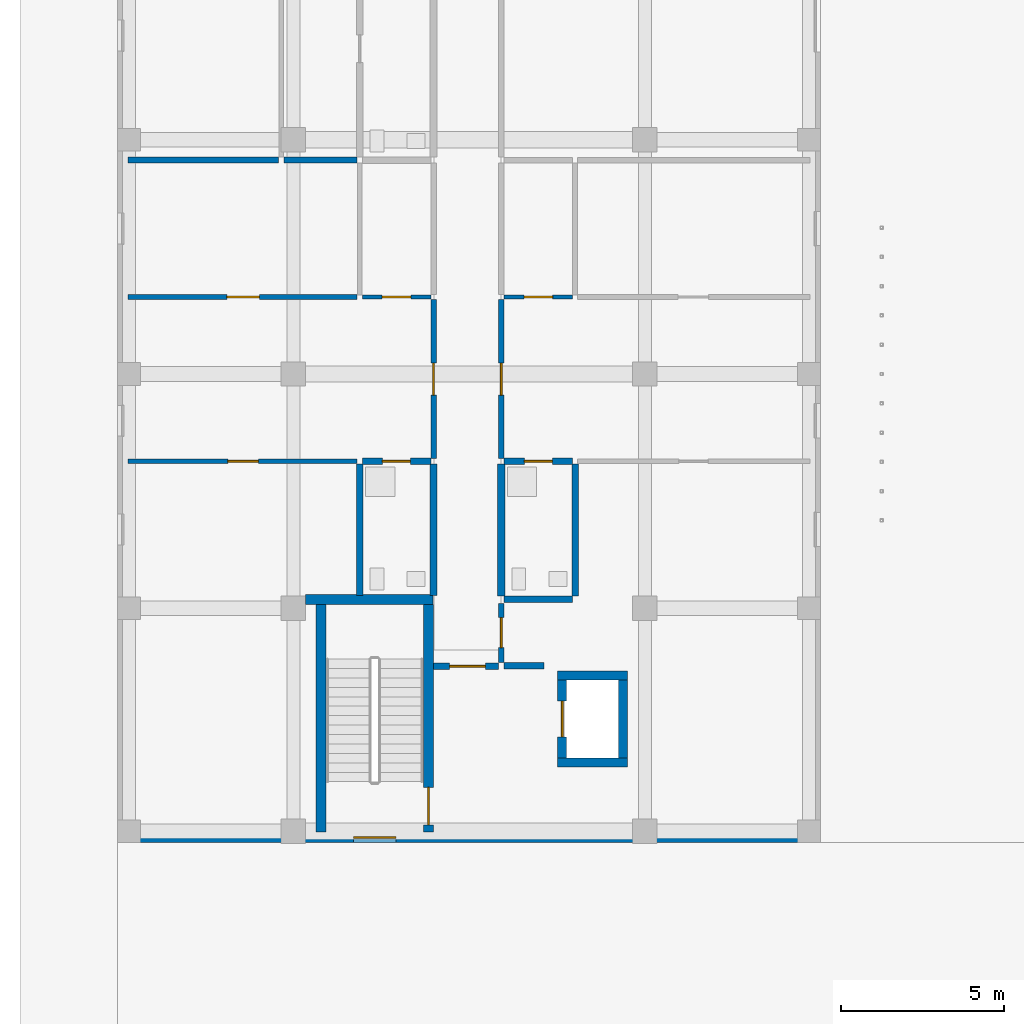
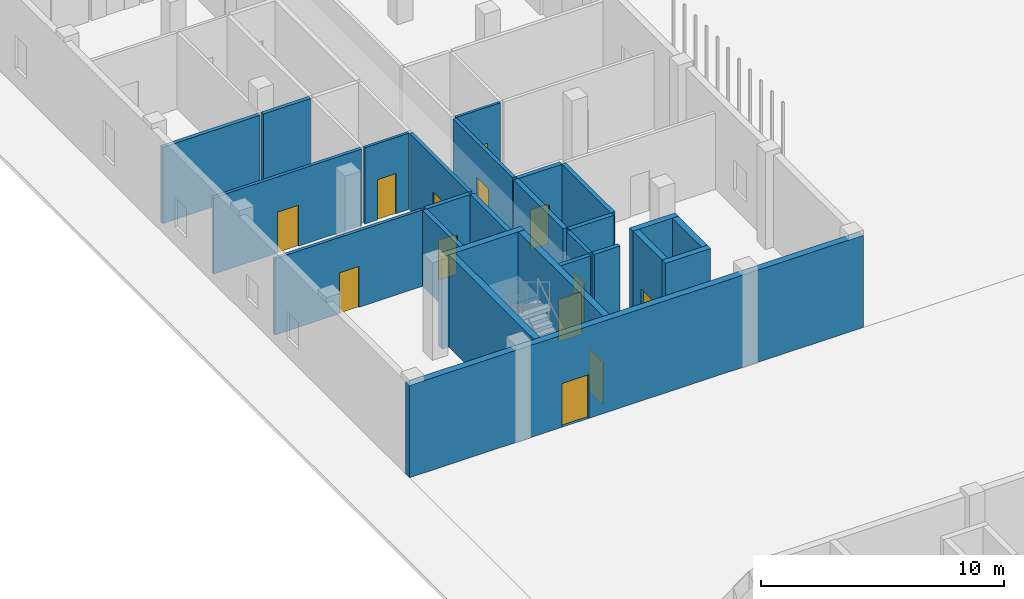
# One storey, part 43 of 85: 26 walls, 13 doors, 13 openings.
"""IFC4 building model written with IfcOpenShell, lengths in metres."""

from ifc_helpers import new_model, si_unit, derived_unit, direction, frame, frame_2d, origin, place, context, subcontext, project, spatial, rectangle, extrude, material, layer, layer_set, type_object, element, fill, save


model = new_model("IFC4")

# Units and contexts
model_context = context("Model", 3, precision=1e-05, world=origin(), true_north=direction((0.0, 1.0)))
body_context = subcontext(model_context, "Body", "Model", "MODEL_VIEW")
ifc_project = project(units=[si_unit("LENGTHUNIT", "METRE"), si_unit("AREAUNIT", "SQUARE_METRE"), si_unit("VOLUMEUNIT", "CUBIC_METRE"), si_unit("PLANEANGLEUNIT", "RADIAN"), si_unit("MASSUNIT", "GRAM", prefix="KILO"), derived_unit("THERMALTRANSMITTANCEUNIT", [(si_unit("MASSUNIT", "GRAM", prefix="KILO"), 1), (si_unit("TIMEUNIT", "SECOND"), -3), (si_unit("THERMODYNAMICTEMPERATUREUNIT", "KELVIN"), -1)])], contexts=[model_context])

# Site, building, storey
site_placement = place(None, origin())
site = spatial("IfcSite", under=ifc_project, at=site_placement, CompositionType="ELEMENT")
building_placement = place(site_placement, origin())
building = spatial("IfcBuilding", under=site, at=building_placement, Name="Ochrekiln Boulevard Commons", CompositionType="ELEMENT")
storey_placement = place(building_placement, origin())
storey = spatial("IfcBuildingStorey", under=building, at=storey_placement, Name="L00", CompositionType="ELEMENT", Elevation=0.0)

# Wall, opening, door
ifc_material_1 = material(Name="Desert ochre clinker brick masonry ASTM C216 Grade SW", Category="masonry")
ifc_layer_1 = layer(ifc_material_1, 0.320068359375)
ifc_layer_set_1 = layer_set([ifc_layer_1], Name="Desert ochre clinker brick masonry ASTM C216 Grade SW")
wall_type_1 = type_object("IfcWallType", Name="WL-EXT-OCHRE-320", PredefinedType="SOLIDWALL", material=ifc_layer_set_1)
wall_1_placement = place(storey_placement, frame((0.0, 68.56005859375, 0.0), z_axis=(0.0, 0.0, 1.0), x_axis=(1.0, 0.0, 0.0)))
wall_1 = element("IfcWall", 1, at=wall_1_placement, inside=storey, type_object=wall_type_1, Name="Block A L00 S Exterior Wall", PredefinedType="SOLIDWALL", context=body_context, shape_type="SweptSolid", body=[
    extrude(rectangle(XDim=21.60009765625, YDim=0.320068359375, at=frame_2d((10.800048828125, 0.0))), origin(), (0.0, 0.0, 1.0), 4.639892578125),
])
opening_1_placement = place(wall_1_placement, frame((7.25, 0.0, 0.0)))
opening_1 = element("IfcOpeningElement", 2, at=opening_1_placement, cuts=wall_1, Name="Opening D-L00-EX01", PredefinedType="OPENING", context=body_context, shape_type="SweptSolid", body=[
    extrude(rectangle(XDim=1.300048828125, YDim=2.199951171875, at=frame_2d((0.64990234375, 1.10009765625))), frame((0.0, 0.169921875, 0.0), z_axis=(0.0, -1.0, 0.0), x_axis=(1.0, 0.0, 0.0)), (0.0, 0.0, 1.0), 0.340087890625),
])
ifc_material_2 = material(Name="Bronze-anodized extruded aluminium 6063-T6", Category="aluminium")
door_type_1 = type_object("IfcDoorType", Name="DR-EXT-STAIR-130", OperationType="NOTDEFINED", PredefinedType="DOOR", material=ifc_material_2)
door_1_placement = place(opening_1_placement, frame((1.300048828125, 0.0, 0.0), z_axis=(0.0, 0.0, 1.0), x_axis=(-1.0, 0.0, 0.0)))
door_1 = element("IfcDoor", 3, at=door_1_placement, inside=storey, type_object=door_type_1, Name="Stair ST-A1 Exterior Exit Discharge Door", OperationType="SINGLE_SWING_LEFT", OverallHeight=2.199951171875, OverallWidth=1.300048828125, PredefinedType="DOOR", context=body_context, shape_type="SweptSolid", body=[
    extrude(rectangle(XDim=1.300048828125, YDim=2.199951171875, at=frame_2d((0.64990234375, 1.10009765625))), frame((0.0, 0.02490234375, 0.0), z_axis=(0.0, -1.0, 0.0), x_axis=(1.0, 0.0, 0.0)), (0.0, 0.0, 1.0), 0.050048828125),
])
fill(opening_1, door_1)

# Wall
ifc_material_3 = material(Name="Moisture-resistant cementitious tile backer wall")
ifc_layer_2 = layer(ifc_material_3, 0.199951171875)
ifc_layer_set_2 = layer_set([ifc_layer_2], Name="Moisture-resistant cementitious tile backer wall")
wall_type_2 = type_object("IfcWallType", Name="WL-PLM-200", PredefinedType="PLUMBINGWALL", material=ifc_layer_set_2)
wall_2_placement = place(storey_placement, frame((11.8720703125, 75.875, 0.0), z_axis=(0.0, 0.0, 1.0), x_axis=(1.0, 0.0, 0.0)))
element("IfcWall", 4, at=wall_2_placement, inside=storey, type_object=wall_type_2, Name="L00 Interior Wall W-PW200", PredefinedType="PLUMBINGWALL", context=body_context, shape_type="SweptSolid", body=[
    extrude(rectangle(XDim=2.10791015625, YDim=0.199951171875, at=frame_2d((1.053955078125, 0.0))), origin(), (0.0, 0.0, 1.0), 3.840087890625),
])

# Wall, opening, door
wall_3_placement = place(storey_placement, frame((7.52001953125, 80.118896484375, 0.0), z_axis=(0.0, 0.0, 1.0), x_axis=(1.0, 0.0, 0.0)))
wall_3 = element("IfcWall", 5, at=wall_3_placement, inside=storey, type_object=wall_type_2, Name="L00 Interior Wall W-PW200", PredefinedType="PLUMBINGWALL", context=body_context, shape_type="SweptSolid", body=[
    extrude(rectangle(XDim=2.10791015625, YDim=0.199951171875, at=frame_2d((1.053955078125, 0.0))), origin(), (0.0, 0.0, 1.0), 3.840087890625),
])
opening_2_placement = place(wall_3_placement, frame((0.6201171875, 0.0, 0.0)))
opening_2 = element("IfcOpeningElement", 6, at=opening_2_placement, cuts=wall_3, Name="Opening D-L00-008", PredefinedType="OPENING", context=body_context, shape_type="SweptSolid", body=[
    extrude(rectangle(XDim=0.860107421875, YDim=2.0, at=frame_2d((0.43017578125, 1.0))), frame((0.0, 0.10986328125, 0.0), z_axis=(0.0, -1.0, 0.0), x_axis=(1.0, 0.0, 0.0)), (0.0, 0.0, 1.0), 0.219970703125),
])
ifc_material_4 = material(Name="Solid core architectural oak door leaf")
door_type_2 = type_object("IfcDoorType", Name="DR-INT-BTH-086", OperationType="NOTDEFINED", PredefinedType="DOOR", material=ifc_material_4)
door_2_placement = place(opening_2_placement, frame((0.860107421875, 0.0, 0.0), z_axis=(0.0, 0.0, 1.0), x_axis=(-1.0, 0.0, 0.0)))
door_2 = element("IfcDoor", 7, at=door_2_placement, inside=storey, type_object=door_type_2, Name="L00 Interior Door to Accessible Apartment Bathroom", OperationType="SINGLE_SWING_RIGHT", OverallHeight=2.0, OverallWidth=0.860107421875, PredefinedType="DOOR", context=body_context, shape_type="SweptSolid", body=[
    extrude(rectangle(XDim=0.860107421875, YDim=2.0, at=frame_2d((0.43017578125, 1.0))), frame((0.0, 0.02490234375, 0.0), z_axis=(0.0, -1.0, 0.0), x_axis=(1.0, 0.0, 0.0)), (0.0, 0.0, 1.0), 0.050048828125),
])
fill(opening_2, door_2)

# Wall
wall_4_placement = place(storey_placement, frame((7.43994140625, 76.0, 0.0), z_axis=(0.0, 0.0, 1.0), x_axis=(0.0, 1.0, 0.0)))
element("IfcWall", 8, at=wall_4_placement, inside=storey, type_object=wall_type_2, Name="L00 Interior Wall W-PW200", PredefinedType="PLUMBINGWALL", context=body_context, shape_type="SweptSolid", body=[
    extrude(rectangle(XDim=4.0390625, YDim=0.199951171875, at=frame_2d((2.01953125, 0.0))), origin(), (0.0, 0.0, 1.0), 3.840087890625),
])

# Wall, opening, door
wall_5_placement = place(storey_placement, frame((11.8720703125, 80.118896484375, 0.0), z_axis=(0.0, 0.0, 1.0), x_axis=(1.0, 0.0, 0.0)))
wall_5 = element("IfcWall", 9, at=wall_5_placement, inside=storey, type_object=wall_type_2, Name="L00 Interior Wall W-PW200", PredefinedType="PLUMBINGWALL", context=body_context, shape_type="SweptSolid", body=[
    extrude(rectangle(XDim=2.10791015625, YDim=0.199951171875, at=frame_2d((1.053955078125, 0.0))), origin(), (0.0, 0.0, 1.0), 3.840087890625),
])
opening_3_placement = place(wall_5_placement, frame((0.6279296875, 0.0, 0.0)))
opening_3 = element("IfcOpeningElement", 10, at=opening_3_placement, cuts=wall_5, Name="Opening D-L00-019", PredefinedType="OPENING", context=body_context, shape_type="SweptSolid", body=[
    extrude(rectangle(XDim=0.860107421875, YDim=2.0, at=frame_2d((0.43017578125, 1.0))), frame((0.0, 0.10986328125, 0.0), z_axis=(0.0, -1.0, 0.0), x_axis=(1.0, 0.0, 0.0)), (0.0, 0.0, 1.0), 0.219970703125),
])
door_3_placement = place(opening_3_placement, frame((0.860107421875, 0.0, 0.0), z_axis=(0.0, 0.0, 1.0), x_axis=(-1.0, 0.0, 0.0)))
door_3 = element("IfcDoor", 11, at=door_3_placement, inside=storey, type_object=door_type_2, Name="L00 Interior Door to Apartment Bathroom", OperationType="SINGLE_SWING_LEFT", OverallHeight=2.0, OverallWidth=0.860107421875, PredefinedType="DOOR", context=body_context, shape_type="SweptSolid", body=[
    extrude(rectangle(XDim=0.860107421875, YDim=2.0, at=frame_2d((0.43017578125, 1.0))), frame((0.0, 0.02490234375, 0.0), z_axis=(0.0, -1.0, 0.0), x_axis=(1.0, 0.0, 0.0)), (0.0, 0.0, 1.0), 0.050048828125),
])
fill(opening_3, door_3)

# Walls
wall_6_placement = place(storey_placement, frame((14.06005859375, 75.97509765625, 0.0), z_axis=(0.0, 0.0, 1.0), x_axis=(0.0, 1.0, 0.0)))
element("IfcWall", 12, at=wall_6_placement, inside=storey, type_object=wall_type_2, Name="L00 Interior Wall W-PW200", PredefinedType="PLUMBINGWALL", context=body_context, shape_type="SweptSolid", body=[
    extrude(rectangle(XDim=4.06396484375, YDim=0.199951171875, at=frame_2d((2.031982421875, 0.0))), origin(), (0.0, 0.0, 1.0), 3.840087890625),
])
ifc_layer_3 = layer(ifc_material_3, 0.219970703125)
ifc_layer_set_3 = layer_set([ifc_layer_3], Name="Moisture-resistant cementitious tile backer wall")
wall_type_3 = type_object("IfcWallType", Name="WL-PLM-220", PredefinedType="PLUMBINGWALL", material=ifc_layer_set_3)
wall_7_placement = place(storey_placement, frame((9.7099609375, 76.0, 0.0), z_axis=(0.0, 0.0, 1.0), x_axis=(0.0, 1.0, 0.0)))
element("IfcWall", 13, at=wall_7_placement, inside=storey, type_object=wall_type_3, Name="L00 Interior Wall W-PW220", PredefinedType="PLUMBINGWALL", context=body_context, shape_type="SweptSolid", body=[
    extrude(rectangle(XDim=4.0390625, YDim=0.219970703125, at=frame_2d((2.01953125, 0.0))), origin(), (0.0, 0.0, 1.0), 3.840087890625),
])
wall_8_placement = place(storey_placement, frame((11.7900390625, 75.97509765625, 0.0), z_axis=(0.0, 0.0, 1.0), x_axis=(0.0, 1.0, 0.0)))
element("IfcWall", 14, at=wall_8_placement, inside=storey, type_object=wall_type_3, Name="L00 Interior Wall W-PW220", PredefinedType="PLUMBINGWALL", context=body_context, shape_type="SweptSolid", body=[
    extrude(rectangle(XDim=4.06396484375, YDim=0.219970703125, at=frame_2d((2.031982421875, 0.0))), origin(), (0.0, 0.0, 1.0), 3.840087890625),
])

# Wall, opening, door
ifc_material_5 = material(Name="Fire-rated Type X gypsum board on steel studs", Category="steel")
ifc_layer_4 = layer(ifc_material_5, 0.1650390625)
ifc_layer_set_4 = layer_set([ifc_layer_4], Name="Fire-rated Type X gypsum board on steel studs")
wall_type_4 = type_object("IfcWallType", Name="WL-PT-CORR-165", PredefinedType="PARTITIONING", material=ifc_layer_set_4)
wall_9_placement = place(storey_placement, frame((11.7900390625, 73.929931640625, 0.0), z_axis=(0.0, 0.0, 1.0), x_axis=(0.0, 1.0, 0.0)))
wall_9 = element("IfcWall", 15, at=wall_9_placement, inside=storey, type_object=wall_type_4, Name="L00 Interior Wall W-PC165", PredefinedType="PARTITIONING", context=body_context, shape_type="SweptSolid", body=[
    extrude(rectangle(XDim=1.820068359375, YDim=0.1650390625, at=frame_2d((0.91015625, 0.0))), origin(), (0.0, 0.0, 1.0), 3.840087890625),
])
opening_4_placement = place(wall_9_placement, frame((0.4599609375, 0.0, 0.0)))
opening_4 = element("IfcOpeningElement", 16, at=opening_4_placement, cuts=wall_9, Name="Opening D-L00-003", PredefinedType="OPENING", context=body_context, shape_type="SweptSolid", body=[
    extrude(rectangle(XDim=0.919921875, YDim=2.0400390625, at=frame_2d((0.4599609375, 1.02001953125))), frame((0.0, 0.092529296875, 0.0), z_axis=(0.0, -1.0, 0.0), x_axis=(1.0, 0.0, 0.0)), (0.0, 0.0, 1.0), 0.18505859375),
])
ifc_material_6 = material(Name="Hollow metal fire-rated steel door assembly", Category="steel")
door_type_3 = type_object("IfcDoorType", Name="DR-SRV-90", OperationType="NOTDEFINED", PredefinedType="DOOR", material=ifc_material_6)
door_4_placement = place(opening_4_placement, frame((0.919921875, 0.0, 0.0), z_axis=(0.0, 0.0, 1.0), x_axis=(-1.0, 0.0, 0.0)))
door_4 = element("IfcDoor", 17, at=door_4_placement, inside=storey, type_object=door_type_3, Name="L00 Interior Door to Hydronic and Electrical Riser Room", OperationType="SINGLE_SWING_LEFT", OverallHeight=2.0400390625, OverallWidth=0.919921875, PredefinedType="DOOR", context=body_context, shape_type="SweptSolid", body=[
    extrude(rectangle(XDim=0.919921875, YDim=2.0400390625, at=frame_2d((0.4599609375, 1.02001953125))), frame((0.0, 0.02490234375, 0.0), z_axis=(0.0, -1.0, 0.0), x_axis=(1.0, 0.0, 0.0)), (0.0, 0.0, 1.0), 0.050048828125),
])
fill(opening_4, door_4)

wall_10_placement = place(storey_placement, frame((9.7099609375, 80.198974609375, 0.0), z_axis=(0.0, 0.0, 1.0), x_axis=(0.0, 1.0, 0.0)))
wall_10 = element("IfcWall", 18, at=wall_10_placement, inside=storey, type_object=wall_type_4, Name="L00 Interior Wall W-PC165", PredefinedType="PARTITIONING", context=body_context, shape_type="SweptSolid", body=[
    extrude(rectangle(XDim=4.887939453125, YDim=0.1650390625, at=frame_2d((2.44384765625, 0.0))), origin(), (0.0, 0.0, 1.0), 3.840087890625),
])
opening_5_placement = place(wall_10_placement, frame((1.9541015625, 0.0, 0.0)))
opening_5 = element("IfcOpeningElement", 19, at=opening_5_placement, cuts=wall_10, Name="Opening D-L00-004", PredefinedType="OPENING", context=body_context, shape_type="SweptSolid", body=[
    extrude(rectangle(XDim=0.97998046875, YDim=2.080078125, at=frame_2d((0.489990234375, 1.0400390625))), frame((0.0, 0.092529296875, 0.0), z_axis=(0.0, -1.0, 0.0), x_axis=(1.0, 0.0, 0.0)), (0.0, 0.0, 1.0), 0.18505859375),
])
door_type_4 = type_object("IfcDoorType", Name="DR-APT-60", OperationType="NOTDEFINED", PredefinedType="DOOR", material=ifc_material_4)
door_5_placement = place(opening_5_placement, origin())
door_5 = element("IfcDoor", 20, at=door_5_placement, inside=storey, type_object=door_type_4, Name="L00 Interior Door to Two-Bedroom Apartment Living Room", OperationType="SINGLE_SWING_RIGHT", OverallHeight=2.080078125, OverallWidth=0.97998046875, PredefinedType="DOOR", context=body_context, shape_type="SweptSolid", body=[
    extrude(rectangle(XDim=0.97998046875, YDim=2.080078125, at=frame_2d((0.489990234375, 1.0400390625))), frame((0.0, 0.02490234375, 0.0), z_axis=(0.0, -1.0, 0.0), x_axis=(1.0, 0.0, 0.0)), (0.0, 0.0, 1.0), 0.050048828125),
])
fill(opening_5, door_5)

wall_11_placement = place(storey_placement, frame((11.7900390625, 80.198974609375, 0.0), z_axis=(0.0, 0.0, 1.0), x_axis=(0.0, 1.0, 0.0)))
wall_11 = element("IfcWall", 21, at=wall_11_placement, inside=storey, type_object=wall_type_4, Name="L00 Interior Wall W-PC165", PredefinedType="PARTITIONING", context=body_context, shape_type="SweptSolid", body=[
    extrude(rectangle(XDim=4.887939453125, YDim=0.1650390625, at=frame_2d((2.44384765625, 0.0))), origin(), (0.0, 0.0, 1.0), 3.840087890625),
])
opening_6_placement = place(wall_11_placement, frame((1.9541015625, 0.0, 0.0)))
opening_6 = element("IfcOpeningElement", 22, at=opening_6_placement, cuts=wall_11, Name="Opening D-L00-006", PredefinedType="OPENING", context=body_context, shape_type="SweptSolid", body=[
    extrude(rectangle(XDim=0.97998046875, YDim=2.080078125, at=frame_2d((0.489990234375, 1.0400390625))), frame((0.0, 0.092529296875, 0.0), z_axis=(0.0, -1.0, 0.0), x_axis=(1.0, 0.0, 0.0)), (0.0, 0.0, 1.0), 0.18505859375),
])
door_6_placement = place(opening_6_placement, frame((0.97998046875, 0.0, 0.0), z_axis=(0.0, 0.0, 1.0), x_axis=(-1.0, 0.0, 0.0)))
door_6 = element("IfcDoor", 23, at=door_6_placement, inside=storey, type_object=door_type_4, Name="L00 Interior Door to Two-Bedroom Apartment Living Room", OperationType="SINGLE_SWING_RIGHT", OverallHeight=2.080078125, OverallWidth=0.97998046875, PredefinedType="DOOR", context=body_context, shape_type="SweptSolid", body=[
    extrude(rectangle(XDim=0.97998046875, YDim=2.080078125, at=frame_2d((0.489990234375, 1.0400390625))), frame((0.0, 0.02490234375, 0.0), z_axis=(0.0, -1.0, 0.0), x_axis=(1.0, 0.0, 0.0)), (0.0, 0.0, 1.0), 0.050048828125),
])
fill(opening_6, door_6)

# Walls
ifc_layer_5 = layer(ifc_material_5, 0.179931640625)
ifc_layer_set_5 = layer_set([ifc_layer_5], Name="Fire-rated Type X gypsum board on steel studs")
wall_type_5 = type_object("IfcWallType", Name="WL-PT-DEM-180", PredefinedType="PARTITIONING", material=ifc_layer_set_5)
wall_12_placement = place(storey_placement, frame((0.320068359375, 89.3759765625, 0.0), z_axis=(0.0, 0.0, 1.0), x_axis=(1.0, 0.0, 0.0)))
element("IfcWall", 24, at=wall_12_placement, inside=storey, type_object=wall_type_5, Name="L00 Interior Wall W-PD180", PredefinedType="PARTITIONING", context=body_context, shape_type="SweptSolid", body=[
    extrude(rectangle(XDim=4.6298828125, YDim=0.179931640625, at=frame_2d((2.31494140625, 0.0))), origin(), (0.0, 0.0, 1.0), 3.840087890625),
])
wall_13_placement = place(storey_placement, frame((5.110107421875, 89.3759765625, 0.0), z_axis=(0.0, 0.0, 1.0), x_axis=(1.0, 0.0, 0.0)))
element("IfcWall", 25, at=wall_13_placement, inside=storey, type_object=wall_type_5, Name="L00 Interior Wall W-PD180", PredefinedType="PARTITIONING", context=body_context, shape_type="SweptSolid", body=[
    extrude(rectangle(XDim=2.25, YDim=0.179931640625, at=frame_2d((1.125, 0.0))), origin(), (0.0, 0.0, 1.0), 3.840087890625),
])
ifc_layer_6 = layer(ifc_material_5, 0.18994140625)
ifc_layer_set_6 = layer_set([ifc_layer_6], Name="Fire-rated Type X gypsum board on steel studs")
wall_type_6 = type_object("IfcWallType", Name="WL-PT-LBY-190", PredefinedType="PARTITIONING", material=ifc_layer_set_6)
wall_14_placement = place(storey_placement, frame((11.8798828125, 73.8349609375, 0.0), z_axis=(0.0, 0.0, 1.0), x_axis=(1.0, 0.0, 0.0)))
element("IfcWall", 26, at=wall_14_placement, inside=storey, type_object=wall_type_6, Name="L00 Interior Wall W-PL190", PredefinedType="PARTITIONING", context=body_context, shape_type="SweptSolid", body=[
    extrude(rectangle(XDim=1.22021484375, YDim=0.18994140625, at=frame_2d((0.610107421875, 0.0))), origin(), (0.0, 0.0, 1.0), 3.840087890625),
])

# Wall, opening, door
wall_15_placement = place(storey_placement, frame((9.699951171875, 73.820068359375, 0.0), z_axis=(0.0, 0.0, 1.0), x_axis=(1.0, 0.0, 0.0)))
wall_15 = element("IfcWall", 27, at=wall_15_placement, inside=storey, type_object=wall_type_6, Name="L00 Interior Wall W-PL190", PredefinedType="PARTITIONING", context=body_context, shape_type="SweptSolid", body=[
    extrude(rectangle(XDim=2.0, YDim=0.18994140625, at=frame_2d((1.0, 0.0))), origin(), (0.0, 0.0, 1.0), 3.840087890625),
])
opening_7_placement = place(wall_15_placement, frame((0.5, 0.0, 0.0)))
opening_7 = element("IfcOpeningElement", 28, at=opening_7_placement, cuts=wall_15, Name="Opening D-L00-001", PredefinedType="OPENING", context=body_context, shape_type="SweptSolid", body=[
    extrude(rectangle(XDim=1.10009765625, YDim=2.1201171875, at=frame_2d((0.550048828125, 1.06005859375))), frame((0.0, 0.10498046875, 0.0), z_axis=(0.0, -1.0, 0.0), x_axis=(1.0, 0.0, 0.0)), (0.0, 0.0, 1.0), 0.2099609375),
])
door_type_5 = type_object("IfcDoorType", Name="DR-LOBBY-60", OperationType="NOTDEFINED", PredefinedType="DOOR", material=ifc_material_6)
door_7_placement = place(opening_7_placement, frame((1.10009765625, 0.0, 0.0), z_axis=(0.0, 0.0, 1.0), x_axis=(-1.0, 0.0, 0.0)))
door_7 = element("IfcDoor", 29, at=door_7_placement, inside=storey, type_object=door_type_5, Name="L00 Interior Door to Fire Service Access Elevator Lobby", OperationType="SINGLE_SWING_LEFT", OverallHeight=2.1201171875, OverallWidth=1.10009765625, PredefinedType="DOOR", context=body_context, shape_type="SweptSolid", body=[
    extrude(rectangle(XDim=1.10009765625, YDim=2.1201171875, at=frame_2d((0.550048828125, 1.06005859375))), frame((0.0, 0.02490234375, 0.0), z_axis=(0.0, -1.0, 0.0), x_axis=(1.0, 0.0, 0.0)), (0.0, 0.0, 1.0), 0.050048828125),
])
fill(opening_7, door_7)

ifc_layer_7 = layer(ifc_material_5, 0.1201171875)
ifc_layer_set_7 = layer_set([ifc_layer_7], Name="Fire-rated Type X gypsum board on steel studs")
wall_type_7 = type_object("IfcWallType", Name="WL-PT-LGT-120", PredefinedType="PARTITIONING", material=ifc_layer_set_7)
wall_16_placement = place(storey_placement, frame((7.52001953125, 85.1669921875, 0.0), z_axis=(0.0, 0.0, 1.0), x_axis=(1.0, 0.0, 0.0)))
wall_16 = element("IfcWall", 30, at=wall_16_placement, inside=storey, type_object=wall_type_7, Name="L00 Interior Wall W-PL120", PredefinedType="PARTITIONING", context=body_context, shape_type="SweptSolid", body=[
    extrude(rectangle(XDim=2.10791015625, YDim=0.1201171875, at=frame_2d((1.053955078125, 0.0))), origin(), (0.0, 0.0, 1.0), 3.840087890625),
])
opening_8_placement = place(wall_16_placement, frame((0.610107421875, 0.0, 0.0)))
opening_8 = element("IfcOpeningElement", 31, at=opening_8_placement, cuts=wall_16, Name="Opening D-L00-009", PredefinedType="OPENING", context=body_context, shape_type="SweptSolid", body=[
    extrude(rectangle(XDim=0.8798828125, YDim=2.02001953125, at=frame_2d((0.43994140625, 1.010009765625))), frame((0.0, 0.070068359375, 0.0), z_axis=(0.0, -1.0, 0.0), x_axis=(1.0, 0.0, 0.0)), (0.0, 0.0, 1.0), 0.14013671875),
])
door_type_6 = type_object("IfcDoorType", Name="DR-INT-KIT-088", OperationType="NOTDEFINED", PredefinedType="DOOR", material=ifc_material_4)
door_8_placement = place(opening_8_placement, origin())
door_8 = element("IfcDoor", 32, at=door_8_placement, inside=storey, type_object=door_type_6, Name="L00 Interior Door to Apartment Kitchen", OperationType="SINGLE_SWING_LEFT", OverallHeight=2.02001953125, OverallWidth=0.8798828125, PredefinedType="DOOR", context=body_context, shape_type="SweptSolid", body=[
    extrude(rectangle(XDim=0.8798828125, YDim=2.02001953125, at=frame_2d((0.43994140625, 1.010009765625))), frame((0.0, 0.02490234375, 0.0), z_axis=(0.0, -1.0, 0.0), x_axis=(1.0, 0.0, 0.0)), (0.0, 0.0, 1.0), 0.050048828125),
])
fill(opening_8, door_8)

wall_17_placement = place(storey_placement, frame((11.8720703125, 85.1669921875, 0.0), z_axis=(0.0, 0.0, 1.0), x_axis=(1.0, 0.0, 0.0)))
wall_17 = element("IfcWall", 33, at=wall_17_placement, inside=storey, type_object=wall_type_7, Name="L00 Interior Wall W-PL120", PredefinedType="PARTITIONING", context=body_context, shape_type="SweptSolid", body=[
    extrude(rectangle(XDim=2.10791015625, YDim=0.1201171875, at=frame_2d((1.053955078125, 0.0))), origin(), (0.0, 0.0, 1.0), 3.840087890625),
])
opening_9_placement = place(wall_17_placement, frame((0.617919921875, 0.0, 0.0)))
opening_9 = element("IfcOpeningElement", 34, at=opening_9_placement, cuts=wall_17, Name="Opening D-L00-020", PredefinedType="OPENING", context=body_context, shape_type="SweptSolid", body=[
    extrude(rectangle(XDim=0.8798828125, YDim=2.02001953125, at=frame_2d((0.43994140625, 1.010009765625))), frame((0.0, 0.070068359375, 0.0), z_axis=(0.0, -1.0, 0.0), x_axis=(1.0, 0.0, 0.0)), (0.0, 0.0, 1.0), 0.14013671875),
])
door_9_placement = place(opening_9_placement, origin())
door_9 = element("IfcDoor", 35, at=door_9_placement, inside=storey, type_object=door_type_6, Name="L00 Interior Door to Apartment Kitchen", OperationType="SINGLE_SWING_RIGHT", OverallHeight=2.02001953125, OverallWidth=0.8798828125, PredefinedType="DOOR", context=body_context, shape_type="SweptSolid", body=[
    extrude(rectangle(XDim=0.8798828125, YDim=2.02001953125, at=frame_2d((0.43994140625, 1.010009765625))), frame((0.0, 0.02490234375, 0.0), z_axis=(0.0, -1.0, 0.0), x_axis=(1.0, 0.0, 0.0)), (0.0, 0.0, 1.0), 0.050048828125),
])
fill(opening_9, door_9)

ifc_layer_8 = layer(ifc_material_5, 0.14990234375)
ifc_layer_set_8 = layer_set([ifc_layer_8], Name="Fire-rated Type X gypsum board on steel studs")
wall_type_8 = type_object("IfcWallType", Name="WL-PT-STD-150", PredefinedType="PARTITIONING", material=ifc_layer_set_8)
wall_18_placement = place(storey_placement, frame((0.320068359375, 80.118896484375, 0.0), z_axis=(0.0, 0.0, 1.0), x_axis=(1.0, 0.0, 0.0)))
wall_18 = element("IfcWall", 36, at=wall_18_placement, inside=storey, type_object=wall_type_8, Name="L00 Interior Wall W-PS150", PredefinedType="PARTITIONING", context=body_context, shape_type="SweptSolid", body=[
    extrude(rectangle(XDim=7.0400390625, YDim=0.14990234375, at=frame_2d((3.52001953125, 0.0))), origin(), (0.0, 0.0, 1.0), 3.840087890625),
])
opening_10_placement = place(wall_18_placement, frame((3.06494140625, 0.0, 0.0)))
opening_10 = element("IfcOpeningElement", 37, at=opening_10_placement, cuts=wall_18, Name="Opening D-L00-010", PredefinedType="OPENING", context=body_context, shape_type="SweptSolid", body=[
    extrude(rectangle(XDim=0.93994140625, YDim=2.06005859375, at=frame_2d((0.469970703125, 1.030029296875))), frame((0.0, 0.0849609375, 0.0), z_axis=(0.0, -1.0, 0.0), x_axis=(1.0, 0.0, 0.0)), (0.0, 0.0, 1.0), 0.169921875),
])
door_type_7 = type_object("IfcDoorType", Name="DR-INT-BED-094", OperationType="NOTDEFINED", PredefinedType="DOOR", material=ifc_material_4)
door_10_placement = place(opening_10_placement, frame((0.93994140625, 0.0, 0.0), z_axis=(0.0, 0.0, 1.0), x_axis=(-1.0, 0.0, 0.0)))
door_10 = element("IfcDoor", 38, at=door_10_placement, inside=storey, type_object=door_type_7, Name="L00 Interior Door to Primary Apartment Bedroom", OperationType="SINGLE_SWING_RIGHT", OverallHeight=2.06005859375, OverallWidth=0.93994140625, PredefinedType="DOOR", context=body_context, shape_type="SweptSolid", body=[
    extrude(rectangle(XDim=0.93994140625, YDim=2.06005859375, at=frame_2d((0.469970703125, 1.030029296875))), frame((0.0, 0.02490234375, 0.0), z_axis=(0.0, -1.0, 0.0), x_axis=(1.0, 0.0, 0.0)), (0.0, 0.0, 1.0), 0.050048828125),
])
fill(opening_10, door_10)

wall_19_placement = place(storey_placement, frame((0.320068359375, 85.1669921875, 0.0), z_axis=(0.0, 0.0, 1.0), x_axis=(1.0, 0.0, 0.0)))
wall_19 = element("IfcWall", 39, at=wall_19_placement, inside=storey, type_object=wall_type_8, Name="L00 Interior Wall W-PS150", PredefinedType="PARTITIONING", context=body_context, shape_type="SweptSolid", body=[
    extrude(rectangle(XDim=7.0400390625, YDim=0.14990234375, at=frame_2d((3.52001953125, 0.0))), origin(), (0.0, 0.0, 1.0), 3.840087890625),
])
opening_11_placement = place(wall_19_placement, frame((3.034912109375, 0.0, 0.0)))
opening_11 = element("IfcOpeningElement", 40, at=opening_11_placement, cuts=wall_19, Name="Opening D-L00-011", PredefinedType="OPENING", context=body_context, shape_type="SweptSolid", body=[
    extrude(rectangle(XDim=1.0, YDim=2.06005859375, at=frame_2d((0.5, 1.030029296875))), frame((0.0, 0.0849609375, 0.0), z_axis=(0.0, -1.0, 0.0), x_axis=(1.0, 0.0, 0.0)), (0.0, 0.0, 1.0), 0.169921875),
])
door_type_8 = type_object("IfcDoorType", Name="DR-INT-BED-100", OperationType="NOTDEFINED", PredefinedType="DOOR", material=ifc_material_4)
door_11_placement = place(opening_11_placement, origin())
door_11 = element("IfcDoor", 41, at=door_11_placement, inside=storey, type_object=door_type_8, Name="L00 Interior Door to Secondary Apartment Bedroom", OperationType="SINGLE_SWING_LEFT", OverallHeight=2.06005859375, OverallWidth=1.0, PredefinedType="DOOR", context=body_context, shape_type="SweptSolid", body=[
    extrude(rectangle(XDim=1.0, YDim=2.06005859375, at=frame_2d((0.5, 1.030029296875))), frame((0.0, 0.02490234375, 0.0), z_axis=(0.0, -1.0, 0.0), x_axis=(1.0, 0.0, 0.0)), (0.0, 0.0, 1.0), 0.050048828125),
])
fill(opening_11, door_11)

# Walls
ifc_material_7 = material(Name="Concrete C40/50", Category="concrete")
ifc_layer_9 = layer(ifc_material_7, 0.27490234375)
ifc_layer_set_9 = layer_set([ifc_layer_9], Name="Concrete C40/50")
wall_type_9 = type_object("IfcWallType", Name="WL-SH-275", PredefinedType="SHEAR", material=ifc_layer_set_9)
for number, where, z_axis, x_axis, name in (
    (42, (13.52490234375, 70.862548828125, 0.0), (0.0, 0.0, 1.0), (1.0, 0.0, 0.0), "Elevator FF-A1 L00 Hoistway Shear Wall"),
    (43, (13.52490234375, 73.53759765625, 0.0), (0.0, 0.0, 1.0), (1.0, 0.0, 0.0), "Elevator FF-A1 L00 Hoistway Shear Wall"),
):
    element("IfcWall", number, at=place(storey_placement, frame(where, z_axis=z_axis, x_axis=x_axis)), inside=storey, type_object=wall_type_9, Name=name, PredefinedType="SHEAR", context=body_context, shape_type="SweptSolid", body=[
        extrude(rectangle(XDim=2.150146484375, YDim=0.27490234375, at=frame_2d((1.0751953125, 0.0))), origin(), (0.0, 0.0, 1.0), 4.639892578125),
    ])

# Wall, opening, door
wall_20_placement = place(storey_placement, frame((13.66259765625, 71.0, 0.0), z_axis=(0.0, 0.0, 1.0), x_axis=(0.0, 1.0, 0.0)))
wall_20 = element("IfcWall", 44, at=wall_20_placement, inside=storey, type_object=wall_type_9, Name="Elevator FF-A1 L00 Hoistway Shear Wall", PredefinedType="SHEAR", context=body_context, shape_type="SweptSolid", body=[
    extrude(rectangle(XDim=2.39990234375, YDim=0.27490234375, at=frame_2d((1.199951171875, 0.0))), origin(), (0.0, 0.0, 1.0), 4.639892578125),
])
opening_12_placement = place(wall_20_placement, frame((0.64990234375, 0.0, 0.0)))
opening_12 = element("IfcOpeningElement", 45, at=opening_12_placement, cuts=wall_20, Name="Opening LD-FF-A1-L00", PredefinedType="OPENING", context=body_context, shape_type="SweptSolid", body=[
    extrude(rectangle(XDim=1.10009765625, YDim=2.14990234375, at=frame_2d((0.550048828125, 1.074951171875))), frame((0.0, 0.1474609375, 0.0), z_axis=(0.0, -1.0, 0.0), x_axis=(1.0, 0.0, 0.0)), (0.0, 0.0, 1.0), 0.294921875),
])
ifc_material_8 = material(Name="Brushed stainless steel 316 elevator cab and doors", Category="steel")
door_type_9 = type_object("IfcDoorType", Name="DR-LIFT-LD90", OperationType="SLIDING_TO_LEFT", PredefinedType="DOOR", material=ifc_material_8)
door_12_placement = place(opening_12_placement, origin())
door_12 = element("IfcDoor", 46, at=door_12_placement, inside=storey, type_object=door_type_9, Name="Elevator FF-A1 L00 Sliding Landing Door LD-FF-A1-L00", OperationType="SLIDING_TO_LEFT", OverallHeight=2.14990234375, OverallWidth=1.10009765625, PredefinedType="DOOR", context=body_context, shape_type="SweptSolid", body=[
    extrude(rectangle(XDim=1.10009765625, YDim=2.14990234375, at=frame_2d((0.550048828125, 1.074951171875))), frame((0.0, 0.02490234375, 0.0), z_axis=(0.0, -1.0, 0.0), x_axis=(1.0, 0.0, 0.0)), (0.0, 0.0, 1.0), 0.050048828125),
])
fill(opening_12, door_12)

# Walls
wall_21_placement = place(storey_placement, frame((15.53759765625, 71.0, 0.0), z_axis=(0.0, 0.0, 1.0), x_axis=(0.0, 1.0, 0.0)))
element("IfcWall", 47, at=wall_21_placement, inside=storey, type_object=wall_type_9, Name="Elevator FF-A1 L00 Hoistway Shear Wall", PredefinedType="SHEAR", context=body_context, shape_type="SweptSolid", body=[
    extrude(rectangle(XDim=2.39990234375, YDim=0.27490234375, at=frame_2d((1.199951171875, 0.0))), origin(), (0.0, 0.0, 1.0), 4.639892578125),
])
ifc_layer_10 = layer(ifc_material_7, 0.300048828125)
ifc_layer_set_10 = layer_set([ifc_layer_10], Name="Concrete C40/50")
wall_type_10 = type_object("IfcWallType", Name="WL-SH-300", PredefinedType="SHEAR", material=ifc_layer_set_10)
wall_22_placement = place(storey_placement, frame((5.77490234375, 75.8701171875, 0.0), z_axis=(0.0, 0.0, 1.0), x_axis=(1.0, 0.0, 0.0)))
element("IfcWall", 48, at=wall_22_placement, inside=storey, type_object=wall_type_10, Name="Stair ST-A1 L00 Core Shear Wall N", PredefinedType="SHEAR", context=body_context, shape_type="SweptSolid", body=[
    extrude(rectangle(XDim=3.925048828125, YDim=0.300048828125, at=frame_2d((1.96240234375, 0.0))), origin(), (0.0, 0.0, 1.0), 4.639892578125),
])
wall_23_placement = place(storey_placement, frame((6.25, 68.719970703125, 0.0), z_axis=(0.0, 0.0, 1.0), x_axis=(0.0, 1.0, 0.0)))
element("IfcWall", 49, at=wall_23_placement, inside=storey, type_object=wall_type_10, Name="Stair ST-A1 L00 Core Shear Wall W", PredefinedType="SHEAR", context=body_context, shape_type="SweptSolid", body=[
    extrude(rectangle(XDim=7.0, YDim=0.300048828125, at=frame_2d((3.5, 0.0))), origin(), (0.0, 0.0, 1.0), 4.639892578125),
])

# Wall, opening, door
wall_24_placement = place(storey_placement, frame((9.550048828125, 68.719970703125, 0.0), z_axis=(0.0, 0.0, 1.0), x_axis=(0.0, 1.0, 0.0)))
wall_24 = element("IfcWall", 50, at=wall_24_placement, inside=storey, type_object=wall_type_10, Name="Stair ST-A1 L00 Core Shear Wall E", PredefinedType="SHEAR", context=body_context, shape_type="SweptSolid", body=[
    extrude(rectangle(XDim=7.0, YDim=0.300048828125, at=frame_2d((3.5, 0.0))), origin(), (0.0, 0.0, 1.0), 4.639892578125),
])
opening_13_placement = place(wall_24_placement, frame((0.22509765625, 0.0, 0.0)))
opening_13 = element("IfcOpeningElement", 51, at=opening_13_placement, cuts=wall_24, Name="Opening D-L00-ST-A1", PredefinedType="OPENING", context=body_context, shape_type="SweptSolid", body=[
    extrude(rectangle(XDim=1.14990234375, YDim=2.1201171875, at=frame_2d((0.574951171875, 1.06005859375))), frame((0.0, 0.159912109375, 0.0), z_axis=(0.0, -1.0, 0.0), x_axis=(1.0, 0.0, 0.0)), (0.0, 0.0, 1.0), 0.320068359375),
])
door_type_10 = type_object("IfcDoorType", Name="DR-STAIR-90", OperationType="NOTDEFINED", PredefinedType="DOOR", material=ifc_material_6)
door_13_placement = place(opening_13_placement, origin())
door_13 = element("IfcDoor", 52, at=door_13_placement, inside=storey, type_object=door_type_10, Name="Enclosed Exit Stair ST-A1 L00 Rated Door", OperationType="SINGLE_SWING_RIGHT", OverallHeight=2.1201171875, OverallWidth=1.14990234375, PredefinedType="DOOR", context=body_context, shape_type="SweptSolid", body=[
    extrude(rectangle(XDim=1.14990234375, YDim=2.1201171875, at=frame_2d((0.574951171875, 1.06005859375))), frame((0.0, 0.02490234375, 0.0), z_axis=(0.0, -1.0, 0.0), x_axis=(1.0, 0.0, 0.0)), (0.0, 0.0, 1.0), 0.050048828125),
])
fill(opening_13, door_13)

save(model, "model.ifc")
